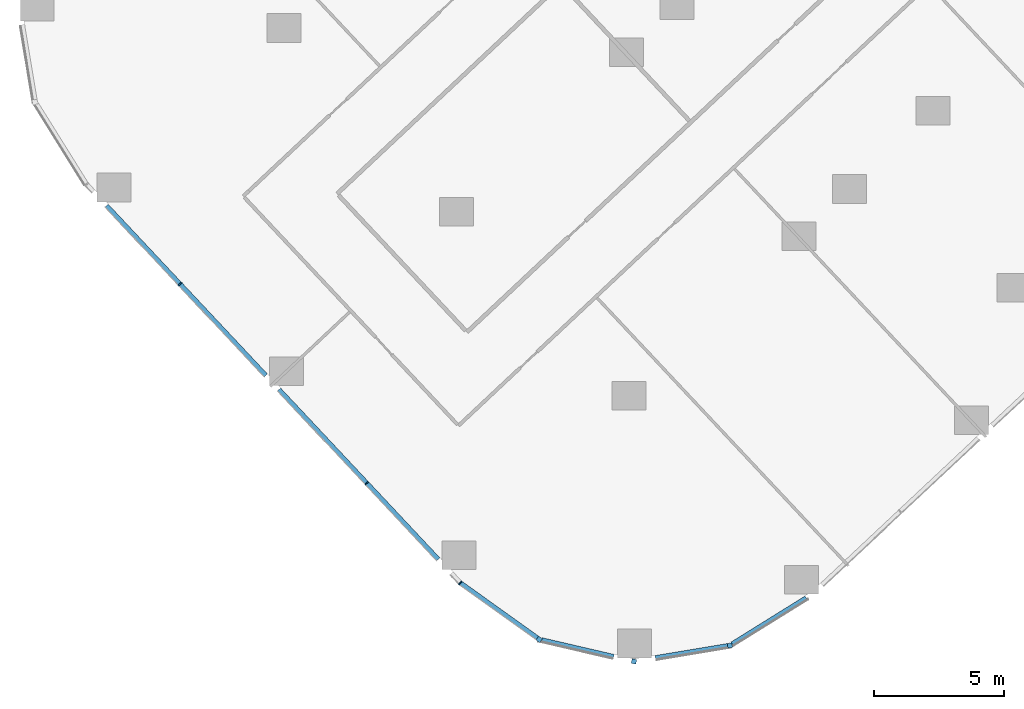
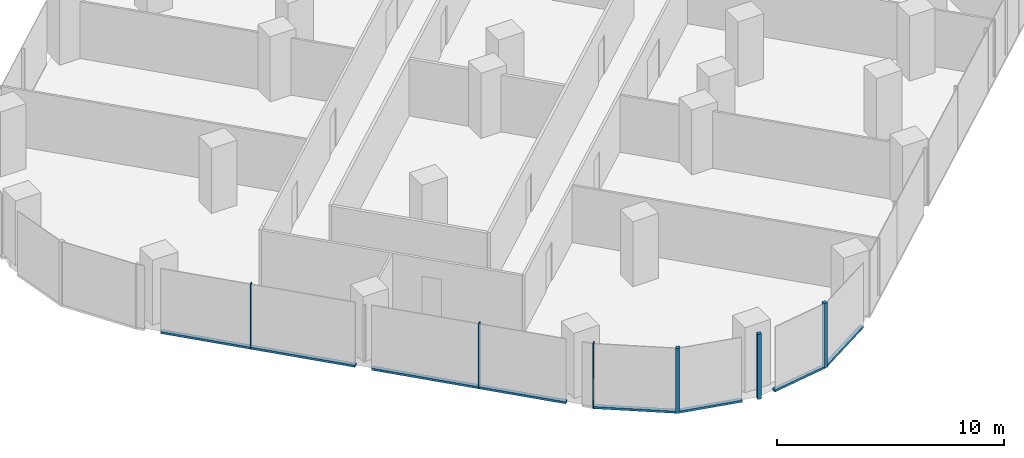
# One storey, part 2 of 34: 12 members, 5 elements without a shape of their own.
"""IFC4 building model written with IfcOpenShell, lengths in metres."""

from ifc_helpers import new_model, si_unit, direction, frame, origin, origin_2d, place, context, subcontext, project, spatial, rectangle, extrude, material, material_profile, profile_set, type_object, element, aggregate, save


model = new_model("IFC4")

# Units and contexts
model_context = context("Model", 3, precision=1e-05, world=origin(), true_north=direction((0.0, 1.0)))
body_context = subcontext(model_context, "Body", "Model", "MODEL_VIEW")
ifc_project = project(units=[si_unit("LENGTHUNIT", "METRE"), si_unit("AREAUNIT", "SQUARE_METRE"), si_unit("VOLUMEUNIT", "CUBIC_METRE"), si_unit("PLANEANGLEUNIT", "RADIAN"), si_unit("MASSUNIT", "GRAM", prefix="KILO")], contexts=[model_context])

# Site, building, storey
site_placement = place(None, origin())
site = spatial("IfcSite", under=ifc_project, at=site_placement, CompositionType="ELEMENT")
building_placement = place(site_placement, origin())
building = spatial("IfcBuilding", under=site, at=building_placement, Name="Orlundy Tower", CompositionType="ELEMENT")
storey_placement = place(building_placement, frame((0.0, 0.0, 44.300048828125)))
storey = spatial("IfcBuildingStorey", under=building, at=storey_placement, Name="L09", CompositionType="ELEMENT", Elevation=44.300048828125)

# Curtain wall, member
ifc_material_1 = material(Name="Aluminium bronze anodised", Category="aluminium")
curtain_wall_type = type_object("IfcCurtainWallType", Name="CW1 wall", PredefinedType="NOTDEFINED", material=ifc_material_1)
curtain_wall_1_placement = place(storey_placement, origin())
curtain_wall_1 = element("IfcCurtainWall", 1, at=curtain_wall_1_placement, inside=storey, type_object=curtain_wall_type, Name="CW1 run 020", PredefinedType="NOTDEFINED")
ifc_material_2 = material(Name="Aluminium bronze anodised", Category="aluminium")
ifc_material_profile_1 = material_profile(ifc_material_2, rectangle(XDim=0.179931640625, YDim=0.179931640625, at=origin_2d()), Name="CW1 corner post 180x180")
ifc_profile_set_1 = profile_set([ifc_material_profile_1], Name="Aluminium bronze anodised")
member_type_1 = type_object("IfcMemberType", Name="CW1 corner post 180x180", PredefinedType="MULLION", material=ifc_profile_set_1)
member_1_placement = place(storey_placement, frame((-26.629638671875, -51.52294921875, -0.420166015625), z_axis=(0.0, 0.0, 1.0), x_axis=(0.163786370223, -0.986495831177, 0.0)))
member_1 = element("IfcMember", 2, at=member_1_placement, type_object=member_type_1, Name="CW1 mullion 58", PredefinedType="MULLION", context=body_context, shape_type="SweptSolid", body=[
    extrude(rectangle(XDim=0.179931640625, YDim=0.179931640625, at=origin_2d()), origin(), (0.0, 0.0, 1.0), 3.5),
])

curtain_wall_2_placement = place(storey_placement, origin())
curtain_wall_2 = element("IfcCurtainWall", 3, at=curtain_wall_2_placement, inside=storey, type_object=curtain_wall_type, Name="CW1 run 021", PredefinedType="NOTDEFINED")
member_2_placement = place(storey_placement, frame((-30.321044921875, -52.1357421875, -0.420166015625), z_axis=(0.0, 0.0, 1.0), x_axis=(-0.226317097073, -0.974053680026, 0.0)))
member_2 = element("IfcMember", 4, at=member_2_placement, type_object=member_type_1, Name="CW1 mullion 59", PredefinedType="MULLION", context=body_context, shape_type="SweptSolid", body=[
    extrude(rectangle(XDim=0.179931640625, YDim=0.179931640625, at=origin_2d()), origin(), (0.0, 0.0, 1.0), 3.5),
])

curtain_wall_3_placement = place(storey_placement, origin())
curtain_wall_3 = element("IfcCurtainWall", 5, at=curtain_wall_3_placement, inside=storey, type_object=curtain_wall_type, Name="CW1 run 022", PredefinedType="NOTDEFINED")
member_3_placement = place(storey_placement, frame((-33.966796875, -51.28857421875, -0.420166015625), z_axis=(0.0, 0.0, 1.0), x_axis=(-0.58197810512, -0.813204454711, 0.0)))
member_3 = element("IfcMember", 6, at=member_3_placement, type_object=member_type_1, Name="CW1 mullion 60", PredefinedType="MULLION", context=body_context, shape_type="SweptSolid", body=[
    extrude(rectangle(XDim=0.179931640625, YDim=0.179931640625, at=origin_2d()), origin(), (0.0, 0.0, 1.0), 3.5),
])

# Curtain wall, members
curtain_wall_4_placement = place(storey_placement, origin())
curtain_wall_4 = element("IfcCurtainWall", 7, at=curtain_wall_4_placement, inside=storey, type_object=curtain_wall_type, Name="CW1 run 023", PredefinedType="NOTDEFINED")
ifc_material_3 = material(Name="Aluminium bronze anodised", Category="aluminium")
ifc_material_profile_2 = material_profile(ifc_material_3, rectangle(XDim=0.179931640625, YDim=0.050048828125, at=origin_2d()), Name="CW1 mullion 50x180")
ifc_profile_set_2 = profile_set([ifc_material_profile_2], Name="Aluminium bronze anodised")
member_type_2 = type_object("IfcMemberType", Name="CW1 mullion 50x180", PredefinedType="MULLION", material=ifc_profile_set_2)
member_4_placement = place(storey_placement, frame((-37.002685546875, -49.115966796875, -0.420166015625), z_axis=(0.0, 0.0, 1.0), x_axis=(-0.658839468913, -0.752283559705, 0.0)))
member_4 = element("IfcMember", 8, at=member_4_placement, type_object=member_type_2, Name="CW1 mullion 61", PredefinedType="MULLION", context=body_context, shape_type="SweptSolid", body=[
    extrude(rectangle(XDim=0.179931640625, YDim=0.050048828125, at=origin_2d()), origin(), (0.0, 0.0, 1.0), 3.5),
])
member_5_placement = place(storey_placement, frame((-40.600341796875, -45.2802734375, -0.420166015625), z_axis=(0.0, 0.0, 1.0), x_axis=(-0.729363439598, -0.684126430551, 0.0)))
member_5 = element("IfcMember", 9, at=member_5_placement, type_object=member_type_2, Name="CW1 mullion 62", PredefinedType="MULLION", context=body_context, shape_type="SweptSolid", body=[
    extrude(rectangle(XDim=0.179931640625, YDim=0.050048828125, at=origin_2d()), origin(), (0.0, 0.0, 1.0), 3.5),
])
member_6_placement = place(storey_placement, frame((-47.783935546875, -37.621826171875, -0.420166015625), z_axis=(0.0, 0.0, 1.0), x_axis=(-0.729363439598, -0.684126430551, 0.0)))
member_6 = element("IfcMember", 10, at=member_6_placement, type_object=member_type_2, Name="CW1 mullion 64", PredefinedType="MULLION", context=body_context, shape_type="SweptSolid", body=[
    extrude(rectangle(XDim=0.179931640625, YDim=0.050048828125, at=origin_2d()), origin(), (0.0, 0.0, 1.0), 3.5),
])

# Curtain wall, member
curtain_wall_5_placement = place(storey_placement, origin())
curtain_wall_5 = element("IfcCurtainWall", 11, at=curtain_wall_5_placement, inside=storey, type_object=curtain_wall_type, Name="CW1 run 019", PredefinedType="NOTDEFINED")
ifc_material_4 = material(Name="Aluminium bronze anodised", Category="aluminium")
ifc_material_profile_3 = material_profile(ifc_material_4, rectangle(XDim=0.179931640625, YDim=0.1201171875, at=origin_2d()), Name="CW1 transom 180x120")
ifc_profile_set_3 = profile_set([ifc_material_profile_3], Name="Aluminium bronze anodised")
member_type_3 = type_object("IfcMemberType", Name="CW1 transom 180x120", PredefinedType="USERDEFINED", material=ifc_profile_set_3)
member_7_placement = place(storey_placement, frame((-23.691650390625, -49.694091796875, -0.360107421875), z_axis=(-0.848955285955, -0.528464684203, 0.0), x_axis=(0.528464684203, -0.848955285955, 0.0)))
member_7 = element("IfcMember", 12, at=member_7_placement, type_object=member_type_3, Name="CW1 transom", ObjectType="TRANSOM", PredefinedType="USERDEFINED", context=body_context, shape_type="SweptSolid", body=[
    extrude(rectangle(XDim=0.179931640625, YDim=0.1201171875, at=origin_2d()), origin(), (0.0, 0.0, 1.0), 3.36328125),
])
aggregate(curtain_wall_5, [member_7])

# Member
member_8_placement = place(storey_placement, frame((-26.718505859375, -51.53759765625, -0.360107421875), z_axis=(-0.986494403283, -0.163794970288, 0.0), x_axis=(0.163794970288, -0.986494403283, 0.0)))
member_8 = element("IfcMember", 13, at=member_8_placement, type_object=member_type_3, Name="CW1 transom", ObjectType="TRANSOM", PredefinedType="USERDEFINED", context=body_context, shape_type="SweptSolid", body=[
    extrude(rectangle(XDim=0.179931640625, YDim=0.1201171875, at=origin_2d()), origin(), (0.0, 0.0, 1.0), 2.818603515625),
])

aggregate(curtain_wall_1, [member_1, member_8])

member_9_placement = place(storey_placement, frame((-31.09912109375, -51.954833984375, -0.360107421875), z_axis=(-0.974048936102, 0.226337513637, 0.0), x_axis=(-0.226337513637, -0.974048936102, 0.0)))
member_9 = element("IfcMember", 14, at=member_9_placement, type_object=member_type_3, Name="CW1 transom", ObjectType="TRANSOM", PredefinedType="USERDEFINED", context=body_context, shape_type="SweptSolid", body=[
    extrude(rectangle(XDim=0.179931640625, YDim=0.1201171875, at=origin_2d()), origin(), (0.0, 0.0, 1.0), 2.8466796875),
])

aggregate(curtain_wall_2, [member_2, member_9])

member_10_placement = place(storey_placement, frame((-34.0400390625, -51.236328125, -0.360107421875), z_axis=(-0.813185985987, 0.582003910807, 0.0), x_axis=(-0.582003910807, -0.813185985987, 0.0)))
member_10 = element("IfcMember", 15, at=member_10_placement, type_object=member_type_3, Name="CW1 transom", ObjectType="TRANSOM", PredefinedType="USERDEFINED", context=body_context, shape_type="SweptSolid", body=[
    extrude(rectangle(XDim=0.179931640625, YDim=0.1201171875, at=origin_2d()), origin(), (0.0, 0.0, 1.0), 3.617919921875),
])

aggregate(curtain_wall_3, [member_3, member_10])

member_11_placement = place(storey_placement, frame((-37.85302734375, -48.20947265625, -0.360107421875), z_axis=(-0.684112537664, 0.729376470563, 0.0), x_axis=(-0.729376470563, -0.684112537664, 0.0)))
member_11 = element("IfcMember", 16, at=member_11_placement, type_object=member_type_3, Name="CW1 transom", ObjectType="TRANSOM", PredefinedType="USERDEFINED", context=body_context, shape_type="SweptSolid", body=[
    extrude(rectangle(XDim=0.179931640625, YDim=0.1201171875, at=origin_2d()), origin(), (0.0, 0.0, 1.0), 8.95361328125),
])

member_12_placement = place(storey_placement, frame((-44.489013671875, -41.134521484375, -0.360107421875), z_axis=(-0.684127043259, 0.729362864891, 0.0), x_axis=(-0.729362864891, -0.684127043259, 0.0)))
member_12 = element("IfcMember", 17, at=member_12_placement, type_object=member_type_3, Name="CW1 transom", ObjectType="TRANSOM", PredefinedType="USERDEFINED", context=body_context, shape_type="SweptSolid", body=[
    extrude(rectangle(XDim=0.179931640625, YDim=0.1201171875, at=origin_2d()), origin(), (0.0, 0.0, 1.0), 8.95361328125),
])

aggregate(curtain_wall_4, [member_4, member_5, member_6, member_11, member_12])

save(model, "model.ifc")
